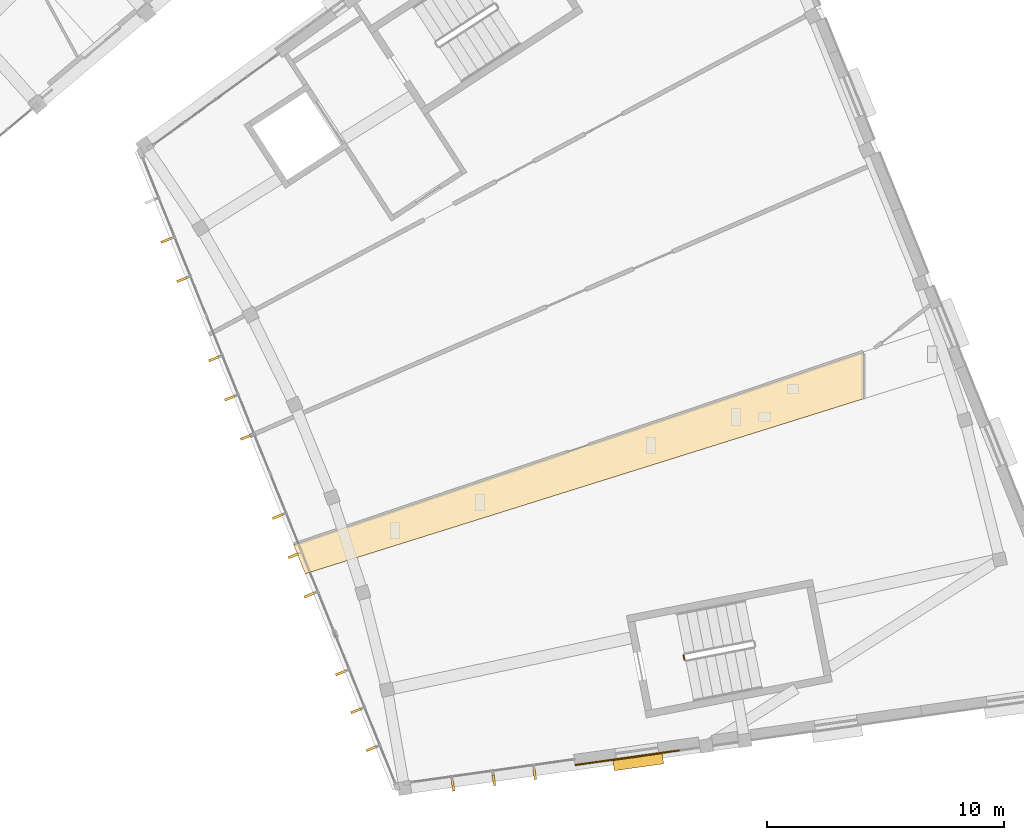
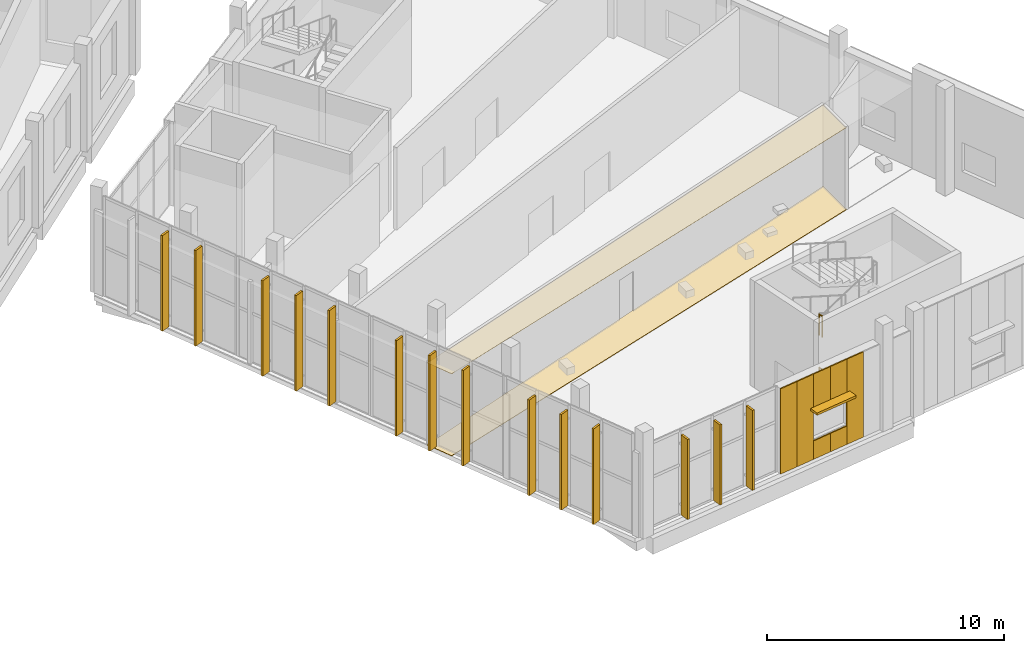
# One storey, part 75 of 87: 15 shading devices, 9 coverings, 2 railings.
"""IFC4 building model written with IfcOpenShell, lengths in metres."""

from ifc_helpers import new_model, si_unit, direction, frame, origin, origin_2d, place, context, subcontext, project, spatial, polyline, rectangle, circle, outline, extrude, material, layer, layer_set, type_object, element, save


model = new_model("IFC4")

# Units and contexts
model_context = context("Model", 3, precision=1e-05, world=origin(), true_north=direction((0.0, 1.0)))
body_context = subcontext(model_context, "Body", "Model", "MODEL_VIEW")
ifc_project = project(units=[si_unit("LENGTHUNIT", "METRE"), si_unit("AREAUNIT", "SQUARE_METRE"), si_unit("VOLUMEUNIT", "CUBIC_METRE"), si_unit("PLANEANGLEUNIT", "RADIAN"), si_unit("MASSUNIT", "GRAM", prefix="KILO")], contexts=[model_context])

# Site, building, storey
site_placement = place(None, origin())
site = spatial("IfcSite", under=ifc_project, at=site_placement, CompositionType="ELEMENT")
building_placement = place(site_placement, origin())
building = spatial("IfcBuilding", under=site, at=building_placement, Name="Lunette Opera House", CompositionType="ELEMENT")
storey_placement = place(building_placement, frame((0.0, 0.0, 11.5)))
storey = spatial("IfcBuildingStorey", under=building, at=storey_placement, Name="L02", CompositionType="ELEMENT", Elevation=11.5)

# Shading devices
ifc_material_1 = material(Name="Powder-coated aluminium", Category="aluminium")
shading_device_type_1 = type_object("IfcShadingDeviceType", Name="SOLAR FIN 100 X 450", PredefinedType="USERDEFINED", material=ifc_material_1)
for number, where, z_axis, x_axis, name in (
    (1, (145.847900390625, 31.5390625, 0.114501953125), (0.0, 0.0, 1.0), (-0.927168162269, -0.374645430874, 0.0), "Solar fin SB-X2013 2"),
    (2, (146.51806640625, 29.882080078125, 0.114501953125), (0.0, 0.0, 1.0), (-0.927168162269, -0.374645430874, 0.0), "Solar fin SB-X2013 3"),
    (3, (147.866943359375, 26.5419921875, 0.114501953125), (0.0, 0.0, 1.0), (-0.927187777387, -0.374596883949, 0.0), "Solar fin SB-X2014 1"),
    (4, (148.535888671875, 24.885009765625, 0.114501953125), (0.0, 0.0, 1.0), (-0.927187777387, -0.374596883949, 0.0), "Solar fin SB-X2014 2"),
    (5, (149.2060546875, 23.22900390625, 0.114501953125), (0.0, 0.0, 1.0), (-0.927187777387, -0.374596883949, 0.0), "Solar fin SB-X2014 3"),
    (6, (150.554931640625, 19.887939453125, 0.114501953125), (0.0, 0.0, 1.0), (-0.927168162269, -0.374645430874, 0.0), "Solar fin SB-X2015 1"),
    (7, (151.22412109375, 18.23193359375, 0.114501953125), (0.0, 0.0, 1.0), (-0.927168162269, -0.374645430874, 0.0), "Solar fin SB-X2015 2"),
    (8, (151.89404296875, 16.574951171875, 0.114501953125), (0.0, 0.0, 1.0), (-0.927168162269, -0.374645430874, 0.0), "Solar fin SB-X2015 3"),
    (9, (153.220947265625, 13.2900390625, 0.114501953125), (0.0, 0.0, 1.0), (-0.927182546937, -0.374609829896, 0.0), "Solar fin SB-X2016 1"),
    (10, (153.866943359375, 11.68994140625, 0.114501953125), (0.0, 0.0, 1.0), (-0.927182546937, -0.374609829896, 0.0), "Solar fin SB-X2016 2"),
    (11, (154.513916015625, 10.089111328125, 0.114501953125), (0.0, 0.0, 1.0), (-0.927182546937, -0.374609829896, 0.0), "Solar fin SB-X2016 3"),
):
    element("IfcShadingDevice", number, at=place(storey_placement, frame(where, z_axis=z_axis, x_axis=x_axis)), inside=storey, type_object=shading_device_type_1, Name=name, ObjectType="SOLAR FIN", PredefinedType="USERDEFINED", context=body_context, shape_type="SweptSolid", body=[
        extrude(rectangle(XDim=0.449951171875, YDim=0.10009765625, at=origin_2d()), origin(), (0.0, 0.0, 1.0), 4.93505859375),
    ])
for number, where, z_axis, x_axis, name in (
    (12, (157.9619140625, 8.52099609375, 0.11572265625), (0.0, 0.0, 1.0), (0.139209396087, -0.990262967116, 0.0), "Solar fin SB-X2017 1"),
    (13, (159.68505859375, 8.762939453125, 0.11572265625), (0.0, 0.0, 1.0), (0.139209396087, -0.990262967116, 0.0), "Solar fin SB-X2017 2"),
    (14, (161.408935546875, 9.006103515625, 0.11572265625), (0.0, 0.0, 1.0), (0.139209396087, -0.990262967116, 0.0), "Solar fin SB-X2017 3"),
):
    element("IfcShadingDevice", number, at=place(storey_placement, frame(where, z_axis=z_axis, x_axis=x_axis)), inside=storey, type_object=shading_device_type_1, Name=name, ObjectType="SOLAR FIN", PredefinedType="USERDEFINED", context=body_context, shape_type="SweptSolid", body=[
        extrude(rectangle(XDim=0.449951171875, YDim=0.10009765625, at=origin_2d()), origin(), (0.0, 0.0, 1.0), 4.135009765625),
    ])

# Railings
ifc_material_2 = material(Name="Steel S355", Category="steel")
railing_type = type_object("IfcRailingType", Name="STAIR GUARD 1100", PredefinedType="GUARDRAIL", material=ifc_material_2)
for number, where, name in (
    (15, (167.726806640625, 13.840576171875, 2.75), "L02 ST22 stair guard 4"),
    (16, (167.726806640625, 13.840576171875, 0.0), "L02 ST22 stair guard 8"),
):
    element("IfcRailing", number, at=place(storey_placement, frame(where)), inside=storey, type_object=railing_type, Name=name, PredefinedType="GUARDRAIL", context=body_context, shape_type="SweptSolid", body=[
        extrude(circle(Radius=0.02392578125, at=origin_2d()), frame((0.0, 0.0, 1.076171875), z_axis=(-0.190706053889, 0.981647187644, 0.0), x_axis=(-0.981647187644, -0.190706053889, 0.0)), (0.0, 0.0, 1.0), 0.19970703125),
        extrude(circle(Radius=0.02099609375, at=origin_2d()), origin(), (0.0, 0.0, 1.0), 1.052001953125),
        extrude(circle(Radius=0.02099609375, at=origin_2d()), frame((-0.0380859375, 0.196044921875, 0.0)), (0.0, 0.0, 1.0), 1.052001953125),
    ])

# Coverings
ifc_material_3 = material(Name="Aluminium standing seam cladding", Category="aluminium")
ifc_layer_1 = layer(ifc_material_3, 0.06005859375)
ifc_layer_set_1 = layer_set([ifc_layer_1], Name="Aluminium standing seam cladding")
covering_type_1 = type_object("IfcCoveringType", Name="STANDING SEAM CLADDING 60", PredefinedType="CLADDING", material=ifc_layer_set_1)
for number, where, z_axis, x_axis, name in (
    (17, (163.5458984375, 9.462890625, 0.0), (0.0, 0.0, 1.0), (0.990251787478, 0.139288899045, 0.0), "Standing Seam Cladding 60 SZ L02"),
    (18, (164.41796875, 9.5849609375, 0.0), (0.0, 0.0, 1.0), (0.990251787478, 0.139288899045, 0.0), "Standing Seam Cladding 60 SZ L02"),
):
    element("IfcCovering", number, at=place(storey_placement, frame(where, z_axis=z_axis, x_axis=x_axis)), inside=storey, type_object=covering_type_1, Name=name, PredefinedType="CLADDING", context=body_context, shape_type="SweptSolid", body=[
        extrude(rectangle(XDim=0.8798828125, YDim=0.06005859375, at=origin_2d()), origin(), (0.0, 0.0, 1.0), 4.39990234375),
    ])
covering_1_placement = place(storey_placement, frame((165.299072265625, 9.708984375, 0.0), z_axis=(0.0, 0.0, 1.0), x_axis=(0.990251787478, 0.139288899045, 0.0)))
element("IfcCovering", 19, at=covering_1_placement, inside=storey, type_object=covering_type_1, Name="Standing Seam Cladding 60 SZ L02", PredefinedType="CLADDING", context=body_context, shape_type="SweptSolid", body=[
    extrude(rectangle(XDim=0.89990234375, YDim=0.06005859375, at=origin_2d()), origin(), (0.0, 0.0, 1.0), 0.949951171875),
])
covering_2_placement = place(storey_placement, frame((165.299072265625, 9.708984375, 2.7001953125), z_axis=(0.0, 0.0, 1.0), x_axis=(0.990251787478, 0.139288899045, 0.0)))
element("IfcCovering", 20, at=covering_2_placement, inside=storey, type_object=covering_type_1, Name="Standing Seam Cladding 60 SZ L02", PredefinedType="CLADDING", context=body_context, shape_type="SweptSolid", body=[
    extrude(rectangle(XDim=0.89990234375, YDim=0.06005859375, at=origin_2d()), origin(), (0.0, 0.0, 1.0), 1.699951171875),
])
covering_3_placement = place(storey_placement, frame((166.18994140625, 9.8349609375, 0.0), z_axis=(0.0, 0.0, 1.0), x_axis=(0.990251787478, 0.139288899045, 0.0)))
element("IfcCovering", 21, at=covering_3_placement, inside=storey, type_object=covering_type_1, Name="Standing Seam Cladding 60 SZ L02", PredefinedType="CLADDING", context=body_context, shape_type="SweptSolid", body=[
    extrude(rectangle(XDim=0.89990234375, YDim=0.06005859375, at=origin_2d()), origin(), (0.0, 0.0, 1.0), 0.949951171875),
])
covering_4_placement = place(storey_placement, frame((166.18994140625, 9.8349609375, 2.7001953125), z_axis=(0.0, 0.0, 1.0), x_axis=(0.990251787478, 0.139288899045, 0.0)))
element("IfcCovering", 22, at=covering_4_placement, inside=storey, type_object=covering_type_1, Name="Standing Seam Cladding 60 SZ L02", PredefinedType="CLADDING", context=body_context, shape_type="SweptSolid", body=[
    extrude(rectangle(XDim=0.89990234375, YDim=0.06005859375, at=origin_2d()), origin(), (0.0, 0.0, 1.0), 1.699951171875),
])
covering_5_placement = place(storey_placement, frame((167.071044921875, 9.9580078125, 0.0), z_axis=(0.0, 0.0, 1.0), x_axis=(0.990251787478, 0.139288899045, 0.0)))
element("IfcCovering", 23, at=covering_5_placement, inside=storey, type_object=covering_type_1, Name="Standing Seam Cladding 60 SZ L02", PredefinedType="CLADDING", context=body_context, shape_type="SweptSolid", body=[
    extrude(rectangle(XDim=0.8798828125, YDim=0.06005859375, at=origin_2d()), origin(), (0.0, 0.0, 1.0), 4.39990234375),
])
ifc_material_4 = material(Name="Mineral fibre board")
ifc_layer_2 = layer(ifc_material_4, 0.014892578125)
ifc_layer_set_2 = layer_set([ifc_layer_2], Name="Mineral fibre board")
covering_type_2 = type_object("IfcCoveringType", Name="SUSPENDED ACOUSTIC CEILING 15", PredefinedType="CEILING", material=ifc_layer_set_2)
covering_6_placement = place(storey_placement, frame((0.0, 0.0, 4.235107421875)))
element("IfcCovering", 24, at=covering_6_placement, inside=storey, type_object=covering_type_2, Name="Ceiling Studio WC L02", PredefinedType="CEILING", context=body_context, shape_type="SweptSolid", body=[
    extrude(outline(polyline([(175.279052734375, 24.85498046875), (151.72998046875, 17.472900390625), (151.236083984375, 18.696044921875), (175.279052734375, 26.833984375), (175.279052734375, 24.85595703125), (175.279052734375, 24.85498046875)])), origin(), (0.0, 0.0, 1.0), 0.014892578125),
])
ifc_material_5 = material(Name="Ceramic tile")
ifc_layer_3 = layer(ifc_material_5, 0.02490234375)
ifc_layer_set_3 = layer_set([ifc_layer_3], Name="Ceramic tile")
covering_type_3 = type_object("IfcCoveringType", Name="TILED FLOOR FINISH 25", PredefinedType="FLOORING", material=ifc_layer_set_3)
covering_7_placement = place(storey_placement, origin())
element("IfcCovering", 25, at=covering_7_placement, inside=storey, type_object=covering_type_3, Name="Floor finish Studio WC L02", PredefinedType="FLOORING", context=body_context, shape_type="SweptSolid", body=[
    extrude(outline(polyline([(175.279052734375, 24.85498046875), (151.72998046875, 17.472900390625), (151.236083984375, 18.696044921875), (175.279052734375, 26.833984375), (175.279052734375, 24.85595703125), (175.279052734375, 24.85498046875)])), origin(), (0.0, 0.0, 1.0), 0.02490234375),
])

# Shading device
ifc_material_6 = material(Name="Powder-coated aluminium", Category="aluminium")
ifc_layer_4 = layer(ifc_material_6, 0.1201171875)
ifc_layer_set_4 = layer_set([ifc_layer_4], Name="Powder-coated aluminium")
shading_device_type_2 = type_object("IfcShadingDeviceType", Name="WINDOW HOOD 500 X 2100", PredefinedType="USERDEFINED", material=ifc_layer_set_4)
shading_device_placement = place(storey_placement, frame((165.77490234375, 9.553955078125, 2.579833984375), z_axis=(0.0, 0.0, 1.0), x_axis=(0.139288899045, -0.990251787478, 0.0)))
element("IfcShadingDevice", 26, at=shading_device_placement, inside=storey, type_object=shading_device_type_2, Name="Window hood SB-N2013", ObjectType="WINDOW HOOD", PredefinedType="USERDEFINED", context=body_context, shape_type="SweptSolid", body=[
    extrude(rectangle(XDim=0.5, YDim=2.10009765625, at=origin_2d()), origin(), (0.0, 0.0, 1.0), 0.1201171875),
])

save(model, "model.ifc")
